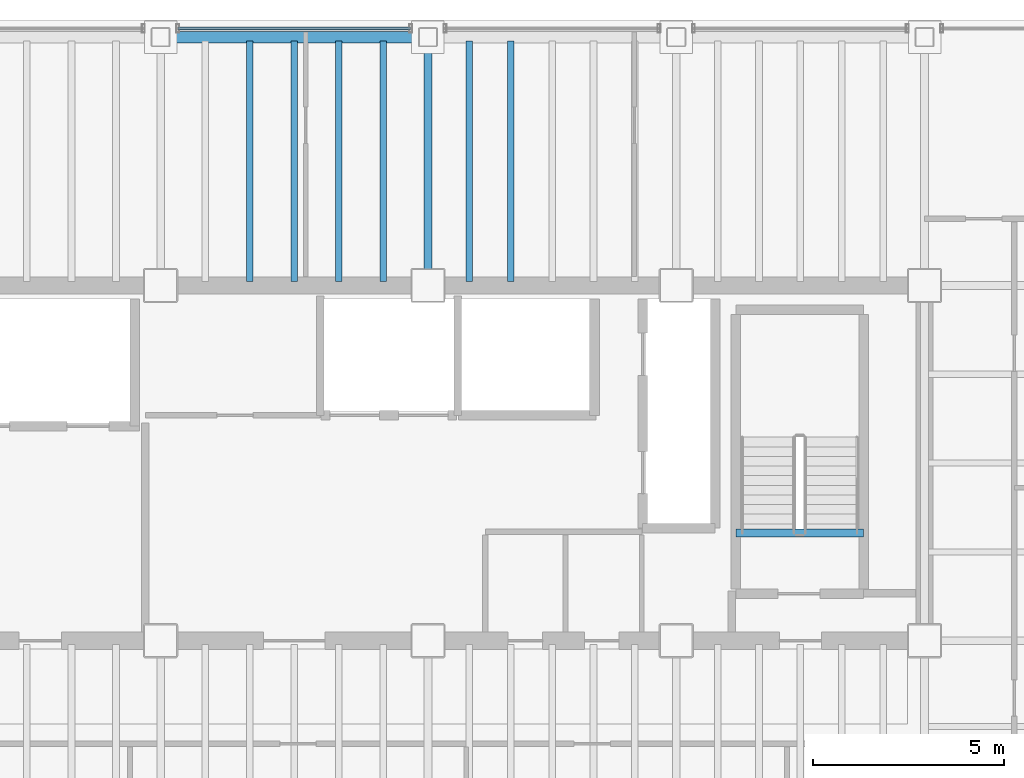
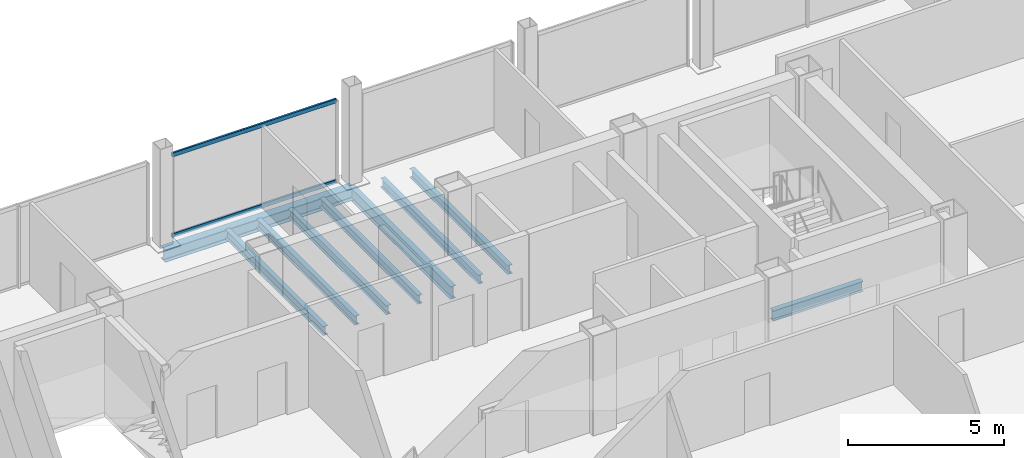
# One storey, part 8 of 15: 9 beams, 2 members, 1 element without a shape of its own.
"""IFC4 building model written with IfcOpenShell, lengths in metres."""

from ifc_helpers import new_model, si_unit, direction, frame, origin, origin_2d, place, context, subcontext, project, spatial, hollow_rectangle, i_section, extrude, material, material_profile, profile_set, type_object, element, aggregate, save


model = new_model("IFC4")

# Units and contexts
model_context = context("Model", 3, precision=1e-05, world=origin(), true_north=direction((0.0, 1.0)))
body_context = subcontext(model_context, "Body", "Model", "MODEL_VIEW")
ifc_project = project(units=[si_unit("LENGTHUNIT", "METRE"), si_unit("AREAUNIT", "SQUARE_METRE"), si_unit("VOLUMEUNIT", "CUBIC_METRE"), si_unit("PLANEANGLEUNIT", "RADIAN"), si_unit("MASSUNIT", "GRAM", prefix="KILO")], contexts=[model_context])

# Site, building, storey
site_placement = place(None, origin())
site = spatial("IfcSite", under=ifc_project, at=site_placement, CompositionType="ELEMENT")
building_placement = place(site_placement, origin())
building = spatial("IfcBuilding", under=site, at=building_placement, Name="Noeulbin Bourse Tower", CompositionType="ELEMENT")
storey_placement = place(building_placement, frame((0.0, 0.0, 189.0)))
storey = spatial("IfcBuildingStorey", under=building, at=storey_placement, Name="L47", CompositionType="ELEMENT", Elevation=189.0)

# Beams
ifc_material_1 = material(Name="Steel S355", Category="steel")
ifc_material_profile_1 = material_profile(ifc_material_1, i_section(OverallWidth=0.199951171875, OverallDepth=0.5, WebThickness=0.010009765625, FlangeThickness=0.01611328125, FilletRadius=0.02001953125, at=origin_2d()), Name="H-500x200x10x16", Category="LoadBearing")
ifc_profile_set_1 = profile_set([ifc_material_profile_1], Name="Steel S355")
beam_type_1 = type_object("IfcBeamType", Name="BM-GRD-500", PredefinedType="USERDEFINED", material=ifc_profile_set_1)
beam_1_placement = place(storey_placement, frame((31.0, 38.300048828125, -0.429931640625), z_axis=(0.0, 1.0, 0.0), x_axis=(-1.0, 0.0, 0.0)))
element("IfcBeam", 1, at=beam_1_placement, inside=storey, type_object=beam_type_1, Name="Tower Primary Girder NS L47-3.4", ObjectType="GIRDER", PredefinedType="USERDEFINED", context=body_context, shape_type="SweptSolid", body=[
    extrude(i_section(OverallWidth=0.199951171875, OverallDepth=0.5, WebThickness=0.010009765625, FlangeThickness=0.01611328125, FilletRadius=0.02001953125, at=origin_2d()), origin(), (0.0, 0.0, 1.0), 6.5),
])
ifc_material_profile_2 = material_profile(ifc_material_1, i_section(OverallWidth=0.175048828125, OverallDepth=0.35009765625, WebThickness=0.007080078125, FlangeThickness=0.010986328125, FilletRadius=0.013916015625, at=origin_2d()), Name="H-350x175x7x11", Category="LoadBearing")
ifc_profile_set_2 = profile_set([ifc_material_profile_2], Name="Steel S355")
beam_type_2 = type_object("IfcBeamType", Name="BM-JST-350", PredefinedType="JOIST", material=ifc_profile_set_2)
for number, where, z_axis, x_axis, name in (
    (2, (26.333251953125, 38.39990234375, -0.35498046875), (0.0, 1.0, 0.0), (-1.0, 0.0, 0.0), "Tower Composite Joist L47-29"),
    (3, (27.5, 38.39990234375, -0.35498046875), (0.0, 1.0, 0.0), (-1.0, 0.0, 0.0), "Tower Composite Joist L47-31"),
    (4, (28.666748046875, 38.39990234375, -0.35498046875), (0.0, 1.0, 0.0), (-1.0, 0.0, 0.0), "Tower Composite Joist L47-33"),
    (5, (29.833251953125, 38.39990234375, -0.35498046875), (0.0, 1.0, 0.0), (-1.0, 0.0, 0.0), "Tower Composite Joist L47-36"),
    (6, (32.083251953125, 38.39990234375, -0.35498046875), (0.0, 1.0, 0.0), (-1.0, 0.0, 0.0), "Tower Composite Joist L47-39"),
    (7, (33.166748046875, 38.39990234375, -0.35498046875), (0.0, 1.0, 0.0), (-1.0, 0.0, 0.0), "Tower Composite Joist L47-42"),
):
    element("IfcBeam", number, at=place(storey_placement, frame(where, z_axis=z_axis, x_axis=x_axis)), inside=storey, type_object=beam_type_2, Name=name, PredefinedType="JOIST", context=body_context, shape_type="SweptSolid", body=[
        extrude(i_section(OverallWidth=0.175048828125, OverallDepth=0.35009765625, WebThickness=0.007080078125, FlangeThickness=0.010986328125, FilletRadius=0.013916015625, at=origin_2d()), origin(), (0.0, 0.0, 1.0), 6.300048828125),
    ])
ifc_material_profile_3 = material_profile(ifc_material_1, i_section(OverallWidth=0.199951171875, OverallDepth=0.39990234375, WebThickness=0.008056640625, FlangeThickness=0.012939453125, FilletRadius=0.01611328125, at=origin_2d()), Name="H-400x200x8x13", Category="LoadBearing")
ifc_profile_set_3 = profile_set([ifc_material_profile_3], Name="Steel S355")
beam_type_3 = type_object("IfcBeamType", Name="BM-SEC-400", PredefinedType="BEAM", material=ifc_profile_set_3)
beam_2_placement = place(storey_placement, frame((39.06005859375, 31.820068359375, -0.199951171875), z_axis=(1.0, 0.0, 0.0), x_axis=(0.0, 1.0, 0.0)))
element("IfcBeam", 8, at=beam_2_placement, inside=storey, type_object=beam_type_3, Name="Stair Threshold Trimmer Beam ST2-L47", PredefinedType="BEAM", context=body_context, shape_type="SweptSolid", body=[
    extrude(i_section(OverallWidth=0.199951171875, OverallDepth=0.39990234375, WebThickness=0.008056640625, FlangeThickness=0.012939453125, FilletRadius=0.01611328125, at=origin_2d()), origin(), (0.0, 0.0, 1.0), 3.33984375),
])
ifc_material_profile_4 = material_profile(ifc_material_1, i_section(OverallWidth=0.300048828125, OverallDepth=0.488037109375, WebThickness=0.010986328125, FlangeThickness=0.01806640625, FilletRadius=0.02197265625, at=origin_2d()), Name="H-488x300x11x18", Category="LoadBearing")
ifc_profile_set_4 = profile_set([ifc_material_profile_4], Name="Steel S355")
beam_type_4 = type_object("IfcBeamType", Name="BM-SPN-488", PredefinedType="SPANDREL", material=ifc_profile_set_4)
beam_3_placement = place(storey_placement, frame((24.0, 44.800048828125, -0.424072265625), z_axis=(1.0, 0.0, 0.0), x_axis=(0.0, 1.0, 0.0)))
element("IfcBeam", 9, at=beam_3_placement, inside=storey, type_object=beam_type_4, Name="North Spandrel L47-2", PredefinedType="SPANDREL", context=body_context, shape_type="SweptSolid", body=[
    extrude(i_section(OverallWidth=0.300048828125, OverallDepth=0.488037109375, WebThickness=0.010986328125, FlangeThickness=0.01806640625, FilletRadius=0.02197265625, at=origin_2d()), origin(), (0.0, 0.0, 1.0), 7.0),
])

# Curtain wall, members
ifc_material_2 = material(Name="Dark Tinted Triple Glazing", Category="glass")
curtain_wall_type = type_object("IfcCurtainWallType", Name="CW-SYS-3", PredefinedType="NOTDEFINED", material=ifc_material_2)
curtain_wall_placement = place(storey_placement, origin())
curtain_wall = element("IfcCurtainWall", 10, at=curtain_wall_placement, inside=storey, type_object=curtain_wall_type, Name="Unitised Curtain Wall CW-L47-N-S2", PredefinedType="NOTDEFINED")
ifc_material_3 = material(Name="Anodised Aluminium 6063-T6", Category="aluminium")
ifc_material_profile_5 = material_profile(ifc_material_3, hollow_rectangle(XDim=0.074951171875, YDim=0.159912109375, WallThickness=0.0048828125, InnerFilletRadius=0.00244140625, OuterFilletRadius=0.0048828125, at=origin_2d()), Name="ALU-TRAN-75x160x5", Category="LoadBearing")
ifc_profile_set_5 = profile_set([ifc_material_profile_5], Name="Anodised Aluminium 6063-T6")
member_type = type_object("IfcMemberType", Name="CW-SYS-3-TRN", PredefinedType="USERDEFINED", material=ifc_profile_set_5)
member_1_placement = place(storey_placement, frame((24.4599609375, 45.030029296875, 0.010009765625), z_axis=(1.0, 0.0, 0.0), x_axis=(0.0, 1.0, 0.0)))
member_1 = element("IfcMember", 11, at=member_1_placement, type_object=member_type, Name="Curtain Wall Transom CW-L47-N-S2-T00", ObjectType="TRANSOM", PredefinedType="USERDEFINED", context=body_context, shape_type="SweptSolid", body=[
    extrude(hollow_rectangle(XDim=0.074951171875, YDim=0.159912109375, WallThickness=0.0048828125, InnerFilletRadius=0.00244140625, OuterFilletRadius=0.0048828125, at=origin_2d()), origin(), (0.0, 0.0, 1.0), 6.080078125),
])
member_2_placement = place(storey_placement, frame((24.4599609375, 45.030029296875, 3.169921875), z_axis=(1.0, 0.0, 0.0), x_axis=(0.0, 1.0, 0.0)))
member_2 = element("IfcMember", 12, at=member_2_placement, type_object=member_type, Name="Curtain Wall Transom CW-L47-N-S2-T01", ObjectType="TRANSOM", PredefinedType="USERDEFINED", context=body_context, shape_type="SweptSolid", body=[
    extrude(hollow_rectangle(XDim=0.074951171875, YDim=0.159912109375, WallThickness=0.0048828125, InnerFilletRadius=0.00244140625, OuterFilletRadius=0.0048828125, at=origin_2d()), origin(), (0.0, 0.0, 1.0), 6.080078125),
])
aggregate(curtain_wall, [member_1, member_2])

save(model, "model.ifc")
